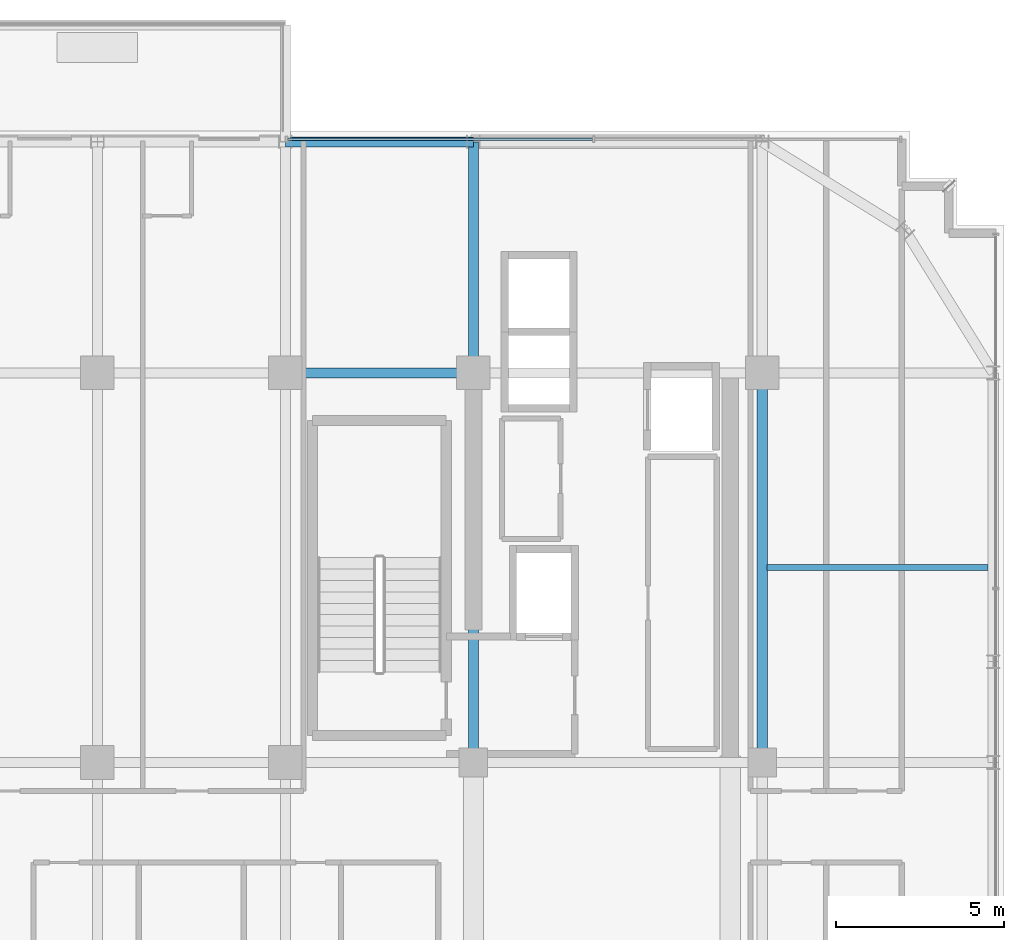
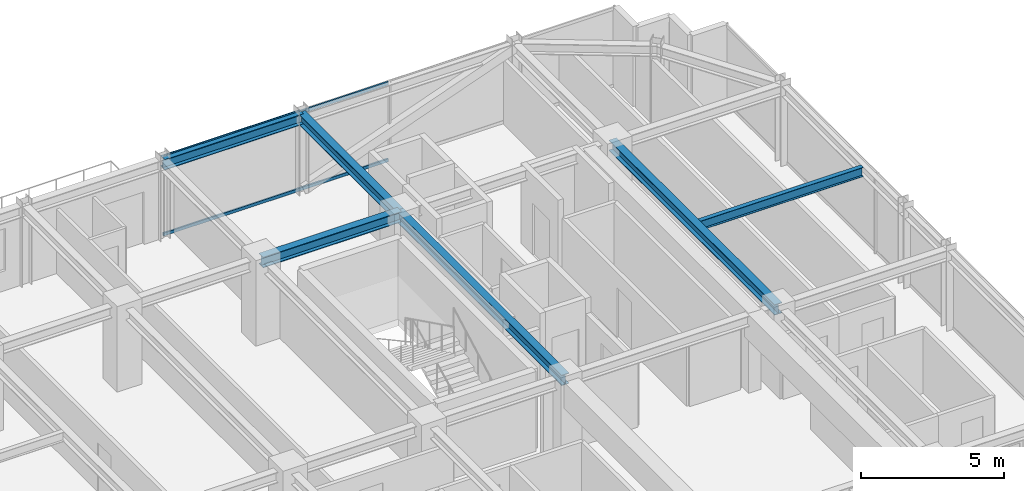
# One storey, part 23 of 41: 6 beams, 2 members, 1 element without a shape of its own.
"""IFC4 building model written with IfcOpenShell, lengths in metres."""

from ifc_helpers import new_model, si_unit, direction, frame, origin, origin_2d, place, context, subcontext, project, spatial, hollow_rectangle, i_section, extrude, source, transform, mapped, material, material_profile, profile_set, type_object, element, aggregate, save


model = new_model("IFC4")

# Units and contexts
model_context = context("Model", 3, precision=1e-05, world=origin(), true_north=direction((0.0, 1.0)))
body_context = subcontext(model_context, "Body", "Model", "MODEL_VIEW")
ifc_project = project(units=[si_unit("LENGTHUNIT", "METRE"), si_unit("AREAUNIT", "SQUARE_METRE"), si_unit("VOLUMEUNIT", "CUBIC_METRE"), si_unit("PLANEANGLEUNIT", "RADIAN"), si_unit("MASSUNIT", "GRAM", prefix="KILO")], contexts=[model_context])

# Site, building, storey
site_placement = place(None, origin())
site = spatial("IfcSite", under=ifc_project, at=site_placement, CompositionType="ELEMENT")
building_placement = place(site_placement, origin())
building = spatial("IfcBuilding", under=site, at=building_placement, Name="Nahalor Promenade Grand Hotel", CompositionType="ELEMENT")
storey_placement = place(building_placement, frame((0.0, 0.0, 227.10009765625)))
storey = spatial("IfcBuildingStorey", under=building, at=storey_placement, Name="L58", CompositionType="ELEMENT", Elevation=227.10009765625)

# Beams
ifc_material_1 = material(Name="Steel S355JR", Category="steel")
ifc_material_profile_1 = material_profile(ifc_material_1, i_section(OverallWidth=0.3, OverallDepth=0.45, WebThickness=0.014, FlangeThickness=0.026, at=origin_2d()), Name="HEB 450")
ifc_profile_set_1 = profile_set([ifc_material_profile_1], Name="Steel S355JR")
beam_type_1 = type_object("IfcBeamType", Name="Beam-Spandrel-HEB450", PredefinedType="SPANDREL", material=ifc_profile_set_1)
shared_shape_1 = source(origin(), body_context, "Body", "SweptSolid", [
    extrude(i_section(OverallWidth=0.3, OverallDepth=0.45, WebThickness=0.014, FlangeThickness=0.026, at=origin_2d()), origin(), (0.0, 0.0, 1.0), 5.599853515625),
])
beam_1_placement = place(storey_placement, frame((2.800048828125, 23.8798828125, 3.184814453125), z_axis=(1.0, 0.0, 0.0), x_axis=(0.0, 1.0, 0.0)))
element("IfcBeam", 1, at=beam_1_placement, inside=storey, type_object=beam_type_1, Name="BM-L58-SP-N-3", PredefinedType="SPANDREL", context=body_context, shape_type="MappedRepresentation", body=[
    mapped(shared_shape_1, transform((0.0, 0.0, 0.0), scale=1.0)),
])
ifc_material_profile_2 = material_profile(ifc_material_1, i_section(OverallWidth=0.3, OverallDepth=0.45, WebThickness=0.014, FlangeThickness=0.026, at=origin_2d()), Name="HEB 450")
ifc_profile_set_2 = profile_set([ifc_material_profile_2], Name="Steel S355JR")
beam_type_2 = type_object("IfcBeamType", Name="Beam-Girder-HEB450", PredefinedType="BEAM", material=ifc_profile_set_2)
shared_shape_2 = source(origin(), body_context, "Body", "SweptSolid", [
    extrude(i_section(OverallWidth=0.3, OverallDepth=0.45, WebThickness=0.014, FlangeThickness=0.026, at=origin_2d()), origin(), (0.0, 0.0, 1.0), 6.8798828125),
])
beam_2_placement = place(storey_placement, frame((8.39990234375, 17.0, 3.184814453125), z_axis=(0.0, 1.0, 0.0), x_axis=(-1.0, 0.0, 0.0)))
element("IfcBeam", 2, at=beam_2_placement, inside=storey, type_object=beam_type_2, Name="BM-L58-GY-4-4", PredefinedType="BEAM", context=body_context, shape_type="MappedRepresentation", body=[
    mapped(shared_shape_2, transform((0.0, 0.0, 0.0), scale=1.0)),
])
shared_shape_3 = source(origin(), body_context, "Body", "SweptSolid", [
    extrude(i_section(OverallWidth=0.3, OverallDepth=0.45, WebThickness=0.014, FlangeThickness=0.026, at=origin_2d()), origin(), (0.0, 0.0, 1.0), 5.599853515625),
])
beam_3_placement = place(storey_placement, frame((2.800048828125, 17.0, 3.184814453125), z_axis=(1.0, 0.0, 0.0), x_axis=(0.0, 1.0, 0.0)))
element("IfcBeam", 3, at=beam_3_placement, inside=storey, type_object=beam_type_2, Name="BM-L58-GX-3-4", PredefinedType="BEAM", context=body_context, shape_type="MappedRepresentation", body=[
    mapped(shared_shape_3, transform((0.0, 0.0, 0.0), scale=1.0)),
])
shared_shape_4 = source(origin(), body_context, "Body", "SweptSolid", [
    extrude(i_section(OverallWidth=0.3, OverallDepth=0.45, WebThickness=0.014, FlangeThickness=0.026, at=origin_2d()), origin(), (0.0, 0.0, 1.0), 11.60009765625),
])
for number, where, z_axis, x_axis, name in (
    (4, (8.39990234375, 5.39990234375, 3.184814453125), (0.0, 1.0, 0.0), (-1.0, 0.0, 0.0), "BM-L58-GY-4-3"),
    (5, (17.0, 5.39990234375, 3.184814453125), (0.0, 1.0, 0.0), (-1.0, 0.0, 0.0), "BM-L58-GY-5-3"),
):
    element("IfcBeam", number, at=place(storey_placement, frame(where, z_axis=z_axis, x_axis=x_axis)), inside=storey, type_object=beam_type_2, Name=name, PredefinedType="BEAM", context=body_context, shape_type="MappedRepresentation", body=[
        mapped(shared_shape_4, transform((0.0, 0.0, 0.0), scale=1.0)),
    ])
ifc_material_profile_3 = material_profile(ifc_material_1, i_section(OverallWidth=0.18, OverallDepth=0.4, WebThickness=0.0086, FlangeThickness=0.0135, at=origin_2d()), Name="IPE 400")
ifc_profile_set_3 = profile_set([ifc_material_profile_3], Name="Steel S355JR")
beam_type_3 = type_object("IfcBeamType", Name="Beam-Joist-IPE400", PredefinedType="JOIST", material=ifc_profile_set_3)
shared_shape_5 = source(origin(), body_context, "Body", "SweptSolid", [
    extrude(i_section(OverallWidth=0.18, OverallDepth=0.4, WebThickness=0.0086, FlangeThickness=0.0135, at=origin_2d()), origin(), (0.0, 0.0, 1.0), 6.580078125),
])
beam_4_placement = place(storey_placement, frame((17.14990234375, 11.199951171875, 3.2099609375), z_axis=(1.0, 0.0, 0.0), x_axis=(0.0, 1.0, 0.0)))
element("IfcBeam", 6, at=beam_4_placement, inside=storey, type_object=beam_type_3, Name="BM-L58-JSE-1-2", PredefinedType="JOIST", context=body_context, shape_type="MappedRepresentation", body=[
    mapped(shared_shape_5, transform((0.0, 0.0, 0.0), scale=1.0)),
])

# Curtain wall, members
ifc_material_2 = material(Name="Anodised Bronze Aluminium EN AW-6063 T6", Category="aluminium")
curtain_wall_type = type_object("IfcCurtainWallType", Name="CW2 Typical Hotel Flush Bronze Unitised Curtain Wall", PredefinedType="USERDEFINED", material=ifc_material_2)
curtain_wall_placement = place(storey_placement, origin())
curtain_wall = element("IfcCurtainWall", 7, at=curtain_wall_placement, inside=storey, type_object=curtain_wall_type, Name="L58 Curtain Wall CW-L58-N-3", ObjectType="UNITISED_CURTAIN_WALL", PredefinedType="USERDEFINED")
ifc_material_profile_4 = material_profile(ifc_material_2, hollow_rectangle(XDim=0.065, YDim=0.13, WallThickness=0.004, at=origin_2d()), Name="CWT 65x130x4")
ifc_profile_set_4 = profile_set([ifc_material_profile_4], Name="Anodised Bronze Aluminium EN AW-6063 T6")
member_type = type_object("IfcMemberType", Name="CWT2 Typical Bronze Transom 65x130", PredefinedType="USERDEFINED", material=ifc_profile_set_4)
shared_shape_6 = source(origin(), body_context, "Body", "SweptSolid", [
    extrude(hollow_rectangle(XDim=0.065, YDim=0.13, WallThickness=0.004, at=origin_2d()), origin(), (0.0, 0.0, 1.0), 9.08251953125),
])
member_1_placement = place(storey_placement, frame((2.864990234375, 23.9599609375, 0.06494140625), z_axis=(1.0, 0.0, 0.0), x_axis=(0.0, 1.0, 0.0)))
member_1 = element("IfcMember", 8, at=member_1_placement, type_object=member_type, Name="CW-L58-N-3 Transom 0-0", ObjectType="TRANSOM", PredefinedType="USERDEFINED", context=body_context, shape_type="MappedRepresentation", body=[
    mapped(shared_shape_6, transform((0.0, 0.0, 0.0), scale=1.0)),
])
member_2_placement = place(storey_placement, frame((2.864990234375, 23.9599609375, 3.344970703125), z_axis=(1.0, 0.0, 0.0), x_axis=(0.0, 1.0, 0.0)))
member_2 = element("IfcMember", 9, at=member_2_placement, type_object=member_type, Name="CW-L58-N-3 Transom 0-1", ObjectType="TRANSOM", PredefinedType="USERDEFINED", context=body_context, shape_type="MappedRepresentation", body=[
    mapped(shared_shape_6, transform((0.0, 0.0, 0.0), scale=1.0)),
])
aggregate(curtain_wall, [member_1, member_2])

save(model, "model.ifc")
